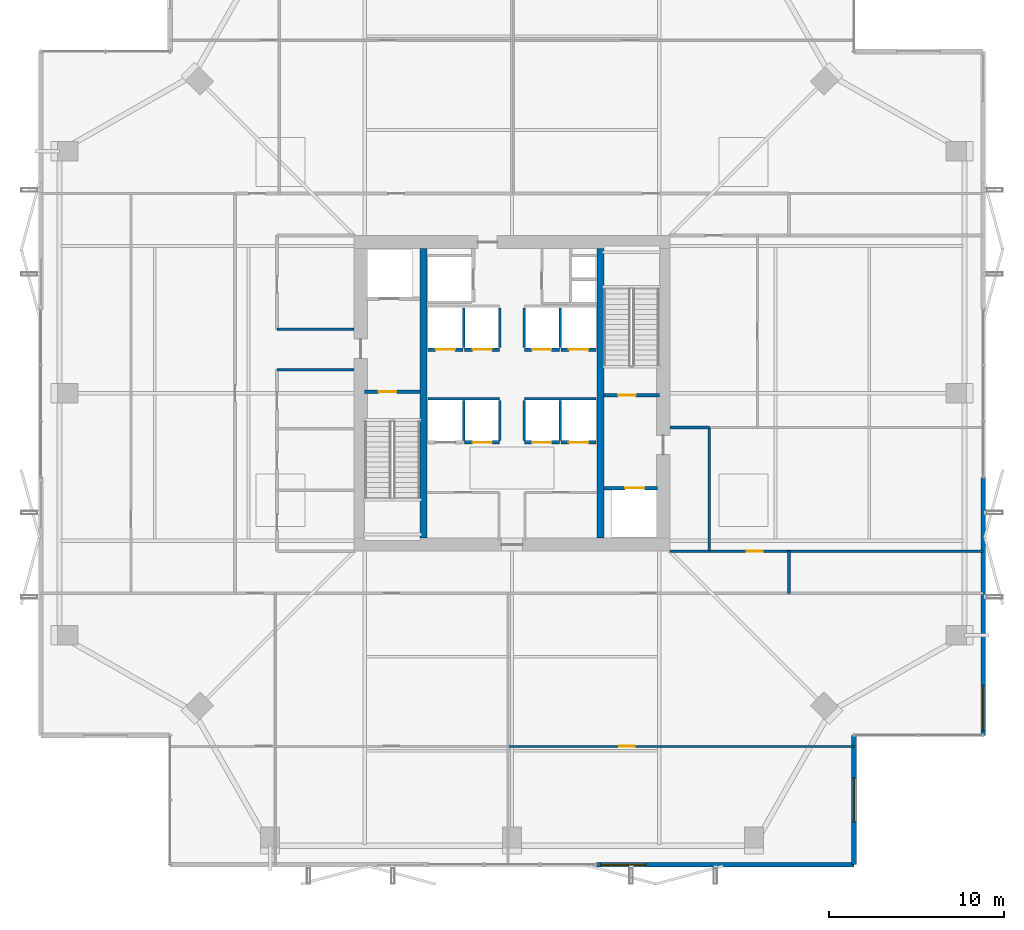
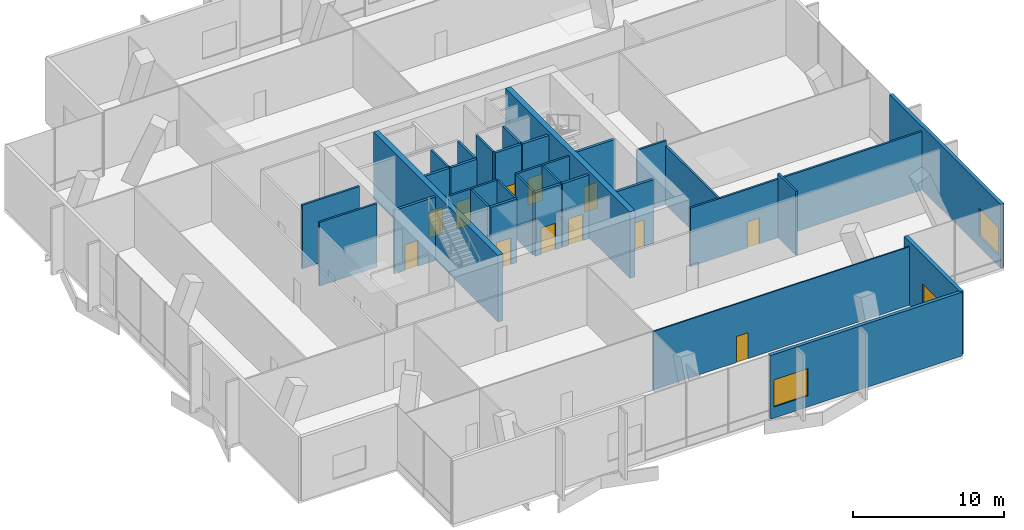
# One storey, part 30 of 33: 32 walls, 12 doors, 3 windows, 15 openings.
"""IFC4 building model written with IfcOpenShell, lengths in metres."""

from ifc_helpers import new_model, si_unit, direction, frame, frame_2d, origin, place, context, subcontext, project, spatial, rectangle, extrude, material, layer, layer_set, type_object, element, fill, save


model = new_model("IFC4")

# Units and contexts
model_context = context("Model", 3, precision=1e-05, world=origin(), true_north=direction((0.0, 1.0)))
body_context = subcontext(model_context, "Body", "Model", "MODEL_VIEW")
ifc_project = project(units=[si_unit("LENGTHUNIT", "METRE"), si_unit("AREAUNIT", "SQUARE_METRE"), si_unit("VOLUMEUNIT", "CUBIC_METRE"), si_unit("PLANEANGLEUNIT", "RADIAN"), si_unit("MASSUNIT", "GRAM", prefix="KILO")], contexts=[model_context])

# Site, building, storey
site_placement = place(None, origin())
site = spatial("IfcSite", under=ifc_project, at=site_placement, CompositionType="ELEMENT")
building_placement = place(site_placement, origin())
building = spatial("IfcBuilding", under=site, at=building_placement, Name="Belovzor Exchange Tower", CompositionType="ELEMENT")
storey_placement = place(building_placement, frame((0.0, 0.0, 241.199951171875)))
storey = spatial("IfcBuildingStorey", under=building, at=storey_placement, Name="L60", CompositionType="ELEMENT", Elevation=241.199951171875)

# Wall, opening, door
ifc_material_1 = material(Name="Acoustic Laminated Glass and Aluminium", Category="aluminium")
ifc_layer_1 = layer(ifc_material_1, 0.10009765625)
ifc_layer_set_1 = layer_set([ifc_layer_1], Name="Acoustic Laminated Glass and Aluminium")
wall_type_1 = type_object("IfcWallType", Name="Demountable Executive Glass Partition 100", PredefinedType="MOVABLE", material=ifc_layer_set_1)
wall_1_placement = place(storey_placement, frame((28.56591796875, 8.6650390625, 0.0), z_axis=(0.0, 0.0, 1.0), x_axis=(1.0, 0.0, 0.0)))
wall_1 = element("IfcWall", 1, at=wall_1_placement, inside=storey, type_object=wall_type_1, Name="W-M100 Partition Wall W-L60-SHDIV-2", PredefinedType="MOVABLE", context=body_context, shape_type="SweptSolid", body=[
    extrude(rectangle(XDim=19.734130859375, YDim=0.10009765625, at=frame_2d((9.8671875, 0.0))), origin(), (0.0, 0.0, 1.0), 4.735107421875),
])
opening_1_placement = place(wall_1_placement, frame((6.344970703125, 0.0, 0.0)))
opening_1 = element("IfcOpeningElement", 2, at=opening_1_placement, cuts=wall_1, Name="Opening D-INT-090", PredefinedType="OPENING", context=body_context, shape_type="SweptSolid", body=[
    extrude(rectangle(XDim=0.89990234375, YDim=2.10009765625, at=frame_2d((0.449951171875, 1.050048828125))), frame((0.0, 0.06005859375, 0.0), z_axis=(0.0, -1.0, 0.0), x_axis=(1.0, 0.0, 0.0)), (0.0, 0.0, 1.0), 0.1201171875),
])
ifc_material_2 = material(Name="Veneered Hardwood Acoustic Leaf", Category="wood")
door_type_1 = type_object("IfcDoorType", Name="Trading Suite Acoustic Single Door 900x2100", OperationType="NOTDEFINED", PredefinedType="DOOR", material=ifc_material_2)
door_1_placement = place(opening_1_placement, origin())
door_1 = element("IfcDoor", 3, at=door_1_placement, inside=storey, type_object=door_type_1, Name="D-INT-090 Trading Suite Acoustic Single Door 900x2100", OperationType="SINGLE_SWING_LEFT", OverallHeight=2.10009765625, OverallWidth=0.89990234375, PredefinedType="DOOR", context=body_context, shape_type="SweptSolid", body=[
    extrude(rectangle(XDim=0.89990234375, YDim=2.10009765625, at=frame_2d((0.449951171875, 1.050048828125))), frame((0.0, 0.02490234375, 0.0), z_axis=(0.0, -1.0, 0.0), x_axis=(1.0, 0.0, 0.0)), (0.0, 0.0, 1.0), 0.050048828125),
])
fill(opening_1, door_1)

# Walls
ifc_material_3 = material(Name="Fire-Rated Gypsum Block and Mineral Wool", Category="gypsum")
ifc_layer_2 = layer(ifc_material_3, 0.14990234375)
ifc_layer_set_2 = layer_set([ifc_layer_2], Name="Fire-Rated Gypsum Block and Mineral Wool")
wall_type_2 = type_object("IfcWallType", Name="Fire-Rated Gypsum Block Corridor Wall 150", PredefinedType="PARTITIONING", material=ifc_layer_set_2)
for number, where, z_axis, x_axis, name in (
    (4, (15.39990234375, 30.14990234375, 0.0), (0.0, 0.0, 1.0), (1.0, 0.0, 0.0), "W-P150 Partition Wall W-L60-WIC-N"),
    (5, (15.39990234375, 32.449951171875, 0.0), (0.0, 0.0, 1.0), (1.0, 0.0, 0.0), "W-P150 Partition Wall W-L60-CFW-N"),
):
    element("IfcWall", number, at=place(storey_placement, frame(where, z_axis=z_axis, x_axis=x_axis)), inside=storey, type_object=wall_type_2, Name=name, PredefinedType="PARTITIONING", context=body_context, shape_type="SweptSolid", body=[
        extrude(rectangle(XDim=4.400146484375, YDim=0.14990234375, at=frame_2d((2.2001953125, 0.0))), origin(), (0.0, 0.0, 1.0), 5.150146484375),
    ])
wall_2_placement = place(storey_placement, frame((37.800048828125, 26.85009765625, 0.0), z_axis=(0.0, 0.0, 1.0), x_axis=(1.0, 0.0, 0.0)))
element("IfcWall", 6, at=wall_2_placement, inside=storey, type_object=wall_type_2, Name="W-P150 Partition Wall W-L60-CFE-N", PredefinedType="PARTITIONING", context=body_context, shape_type="SweptSolid", body=[
    extrude(rectangle(XDim=2.25, YDim=0.14990234375, at=frame_2d((1.125, 0.0))), origin(), (0.0, 0.0, 1.0), 5.150146484375),
])
wall_3_placement = place(storey_placement, frame((40.050048828125, 19.800048828125, 0.0), z_axis=(0.0, 0.0, 1.0), x_axis=(0.0, 1.0, 0.0)))
element("IfcWall", 7, at=wall_3_placement, inside=storey, type_object=wall_type_2, Name="W-P150 Partition Wall W-L60-CFE-E", PredefinedType="PARTITIONING", context=body_context, shape_type="SweptSolid", body=[
    extrude(rectangle(XDim=7.050048828125, YDim=0.14990234375, at=frame_2d((3.52490234375, 0.0))), origin(), (0.0, 0.0, 1.0), 4.735107421875),
])
wall_4_placement = place(storey_placement, frame((44.60009765625, 17.39990234375, 0.0), z_axis=(0.0, 0.0, 1.0), x_axis=(0.0, 1.0, 0.0)))
element("IfcWall", 8, at=wall_4_placement, inside=storey, type_object=wall_type_2, Name="W-P150 Partition Wall W-L60-END-ES", PredefinedType="PARTITIONING", context=body_context, shape_type="SweptSolid", body=[
    extrude(rectangle(XDim=2.400146484375, YDim=0.14990234375, at=frame_2d((1.2001953125, 0.0))), origin(), (0.0, 0.0, 1.0), 5.150146484375),
])

# Wall, opening, door
wall_5_placement = place(storey_placement, frame((37.800048828125, 19.800048828125, 0.0), z_axis=(0.0, 0.0, 1.0), x_axis=(1.0, 0.0, 0.0)))
wall_5 = element("IfcWall", 9, at=wall_5_placement, inside=storey, type_object=wall_type_2, Name="W-P150 Partition Wall W-L60-CS-IN", PredefinedType="PARTITIONING", context=body_context, shape_type="SweptSolid", body=[
    extrude(rectangle(XDim=17.869873046875, YDim=0.14990234375, at=frame_2d((8.93505859375, 0.0))), origin(), (0.0, 0.0, 1.0), 4.735107421875),
])
opening_2_placement = place(wall_5_placement, frame((4.39990234375, 0.0, 0.0)))
opening_2 = element("IfcOpeningElement", 10, at=opening_2_placement, cuts=wall_5, Name="Opening D-INT-090", PredefinedType="OPENING", context=body_context, shape_type="SweptSolid", body=[
    extrude(rectangle(XDim=0.89990234375, YDim=2.10009765625, at=frame_2d((0.449951171875, 1.050048828125))), frame((0.0, 0.0849609375, 0.0), z_axis=(0.0, -1.0, 0.0), x_axis=(1.0, 0.0, 0.0)), (0.0, 0.0, 1.0), 0.169921875),
])
door_2_placement = place(opening_2_placement, origin())
door_2 = element("IfcDoor", 11, at=door_2_placement, inside=storey, type_object=door_type_1, Name="D-INT-090 Trading Suite Acoustic Single Door 900x2100", OperationType="SINGLE_SWING_LEFT", OverallHeight=2.10009765625, OverallWidth=0.89990234375, PredefinedType="DOOR", context=body_context, shape_type="SweptSolid", body=[
    extrude(rectangle(XDim=0.89990234375, YDim=2.10009765625, at=frame_2d((0.449951171875, 1.050048828125))), frame((0.0, 0.02490234375, 0.0), z_axis=(0.0, -1.0, 0.0), x_axis=(1.0, 0.0, 0.0)), (0.0, 0.0, 1.0), 0.050048828125),
])
fill(opening_2, door_2)

# Wall, opening, window
ifc_material_4 = material(Name="Precast concrete C40/50", Category="concrete")
ifc_layer_3 = layer(ifc_material_4, 0.280029296875)
ifc_layer_set_3 = layer_set([ifc_layer_3], Name="Precast concrete C40/50")
wall_type_3 = type_object("IfcWallType", Name="Precast Concrete Notched Corner Frame Wall 280", PredefinedType="SOLIDWALL", material=ifc_layer_set_3)
wall_6_placement = place(storey_placement, frame((48.300048828125, 9.300048828125, 0.0), z_axis=(0.0, 0.0, 1.0), x_axis=(0.0, -1.0, 0.0)))
wall_6 = element("IfcWall", 12, at=wall_6_placement, inside=storey, type_object=wall_type_3, Name="W-CRN280 Precast Concrete Notched Corner Frame Wall 280 L60", PredefinedType="SOLIDWALL", context=body_context, shape_type="SweptSolid", body=[
    extrude(rectangle(XDim=7.3701171875, YDim=0.280029296875, at=frame_2d((3.68505859375, 0.0))), origin(), (0.0, 0.0, 1.0), 5.150146484375),
])
opening_3_placement = place(wall_6_placement, frame((2.43505859375, 0.0, 0.89990234375)))
opening_3 = element("IfcOpeningElement", 13, at=opening_3_placement, cuts=wall_6, Name="Opening WN-CRN250", PredefinedType="OPENING", context=body_context, shape_type="SweptSolid", body=[
    extrude(rectangle(XDim=2.5, YDim=1.89990234375, at=frame_2d((1.25, 0.949951171875))), frame((0.0, 0.14990234375, 0.0), z_axis=(0.0, -1.0, 0.0), x_axis=(1.0, 0.0, 0.0)), (0.0, 0.0, 1.0), 0.300048828125),
])
ifc_material_5 = material(Name="Thermally Broken Aluminium and Triple Glazing", Category="aluminium")
window_type_1 = type_object("IfcWindowType", Name="Streamline Moderne Corner Wrap Ribbon Window 2500x1900", PartitioningType="SINGLE_PANEL", PredefinedType="WINDOW", material=ifc_material_5)
window_1_placement = place(opening_3_placement, origin())
window_1 = element("IfcWindow", 14, at=window_1_placement, inside=storey, type_object=window_type_1, Name="WN-CRN250 Streamline Moderne Corner Wrap Ribbon Window 2500x1900", OverallHeight=1.89990234375, OverallWidth=2.5, PartitioningType="SINGLE_PANEL", PredefinedType="WINDOW", context=body_context, shape_type="SweptSolid", body=[
    extrude(rectangle(XDim=2.5, YDim=1.89990234375, at=frame_2d((1.25, 0.949951171875))), frame((0.0, 0.030029296875, 0.0), z_axis=(0.0, -1.0, 0.0), x_axis=(1.0, 0.0, 0.0)), (0.0, 0.0, 1.0), 0.06005859375),
])
fill(opening_3, window_1)

ifc_material_6 = material(Name="Precast concrete C40/50", Category="concrete")
ifc_layer_4 = layer(ifc_material_6, 0.260009765625)
ifc_layer_set_4 = layer_set([ifc_layer_4], Name="Precast concrete C40/50")
wall_type_4 = type_object("IfcWallType", Name="Precast Concrete Perimeter Loggia Frame Wall 260", PredefinedType="SOLIDWALL", material=ifc_layer_set_4)
wall_7_placement = place(storey_placement, frame((48.300048828125, 1.929931640625, 0.0), z_axis=(0.0, 0.0, 1.0), x_axis=(-1.0, 0.0, 0.0)))
wall_7 = element("IfcWall", 15, at=wall_7_placement, inside=storey, type_object=wall_type_4, Name="W-EXT260 Precast Concrete Perimeter Loggia Frame Wall 260 L60", PredefinedType="SOLIDWALL", context=body_context, shape_type="SweptSolid", body=[
    extrude(rectangle(XDim=14.699951171875, YDim=0.260009765625, at=frame_2d((7.35009765625, 0.0))), origin(), (0.0, 0.0, 1.0), 5.150146484375),
])
opening_4_placement = place(wall_7_placement, frame((11.85009765625, 0.0, 0.89990234375)))
opening_4 = element("IfcOpeningElement", 16, at=opening_4_placement, cuts=wall_7, Name="Opening WN-LOG260", PredefinedType="OPENING", context=body_context, shape_type="SweptSolid", body=[
    extrude(rectangle(XDim=2.60009765625, YDim=2.199951171875, at=frame_2d((1.300048828125, 1.10009765625))), frame((0.0, 0.139892578125, 0.0), z_axis=(0.0, -1.0, 0.0), x_axis=(1.0, 0.0, 0.0)), (0.0, 0.0, 1.0), 0.280029296875),
])
ifc_material_7 = material(Name="Thermally Broken Aluminium and Triple Glazing", Category="aluminium")
window_type_2 = type_object("IfcWindowType", Name="Sky-Lobby Panoramic Window 2600x2200", PartitioningType="SINGLE_PANEL", PredefinedType="WINDOW", material=ifc_material_7)
window_2_placement = place(opening_4_placement, origin())
window_2 = element("IfcWindow", 17, at=window_2_placement, inside=storey, type_object=window_type_2, Name="WN-LOG260 Sky-Lobby Panoramic Window 2600x2200", OverallHeight=2.199951171875, OverallWidth=2.60009765625, PartitioningType="SINGLE_PANEL", PredefinedType="WINDOW", context=body_context, shape_type="SweptSolid", body=[
    extrude(rectangle(XDim=2.60009765625, YDim=2.199951171875, at=frame_2d((1.300048828125, 1.10009765625))), frame((0.0, 0.030029296875, 0.0), z_axis=(0.0, -1.0, 0.0), x_axis=(1.0, 0.0, 0.0)), (0.0, 0.0, 1.0), 0.06005859375),
])
fill(opening_4, window_2)

wall_8_placement = place(storey_placement, frame((55.669921875, 24.0, 0.0), z_axis=(0.0, 0.0, 1.0), x_axis=(0.0, -1.0, 0.0)))
wall_8 = element("IfcWall", 18, at=wall_8_placement, inside=storey, type_object=wall_type_4, Name="W-EXT260 Precast Concrete Perimeter Loggia Frame Wall 260 L60", PredefinedType="SOLIDWALL", context=body_context, shape_type="SweptSolid", body=[
    extrude(rectangle(XDim=14.699951171875, YDim=0.260009765625, at=frame_2d((7.35009765625, 0.0))), origin(), (0.0, 0.0, 1.0), 5.150146484375),
])
opening_5_placement = place(wall_8_placement, frame((11.85009765625, 0.0, 0.89990234375)))
opening_5 = element("IfcOpeningElement", 19, at=opening_5_placement, cuts=wall_8, Name="Opening WN-LOG260", PredefinedType="OPENING", context=body_context, shape_type="SweptSolid", body=[
    extrude(rectangle(XDim=2.60009765625, YDim=2.199951171875, at=frame_2d((1.300048828125, 1.10009765625))), frame((0.0, 0.139892578125, 0.0), z_axis=(0.0, -1.0, 0.0), x_axis=(1.0, 0.0, 0.0)), (0.0, 0.0, 1.0), 0.280029296875),
])
window_3_placement = place(opening_5_placement, origin())
window_3 = element("IfcWindow", 20, at=window_3_placement, inside=storey, type_object=window_type_2, Name="WN-LOG260 Sky-Lobby Panoramic Window 2600x2200", OverallHeight=2.199951171875, OverallWidth=2.60009765625, PartitioningType="SINGLE_PANEL", PredefinedType="WINDOW", context=body_context, shape_type="SweptSolid", body=[
    extrude(rectangle(XDim=2.60009765625, YDim=2.199951171875, at=frame_2d((1.300048828125, 1.10009765625))), frame((0.0, 0.030029296875, 0.0), z_axis=(0.0, -1.0, 0.0), x_axis=(1.0, 0.0, 0.0)), (0.0, 0.0, 1.0), 0.06005859375),
])
fill(opening_5, window_3)

# Walls
ifc_material_8 = material(Name="Concrete C50/60", Category="concrete")
ifc_layer_5 = layer(ifc_material_8, 0.39990234375)
ifc_layer_set_5 = layer_set([ifc_layer_5], Name="Concrete C50/60")
wall_type_5 = type_object("IfcWallType", Name="Reinforced Concrete Core Internal Web Wall 400", PredefinedType="SHEAR", material=ifc_layer_set_5)
for number, where, z_axis, x_axis, name in (
    (21, (23.75, 20.550048828125, 0.0), (0.0, 0.0, 1.0), (0.0, 1.0, 0.0), "CW-W040 Core Internal Web Wall L60 WL"),
    (22, (33.85009765625, 20.550048828125, 0.0), (0.0, 0.0, 1.0), (0.0, 1.0, 0.0), "CW-W040 Core Internal Web Wall L60 ER"),
):
    element("IfcWall", number, at=place(storey_placement, frame(where, z_axis=z_axis, x_axis=x_axis)), inside=storey, type_object=wall_type_5, Name=name, PredefinedType="SHEAR", context=body_context, shape_type="SweptSolid", body=[
        extrude(rectangle(XDim=16.5, YDim=0.39990234375, at=frame_2d((8.25, 0.0))), origin(), (0.0, 0.0, 1.0), 5.400146484375),
    ])
ifc_material_9 = material(Name="Concrete C50/60", Category="concrete")
ifc_layer_6 = layer(ifc_material_9, 0.14990234375)
ifc_layer_set_6 = layer_set([ifc_layer_6], Name="Concrete C50/60")
wall_type_6 = type_object("IfcWallType", Name="Reinforced Concrete Core Riser Shear Wall 150", PredefinedType="SHEAR", material=ifc_layer_set_6)
for number, where, z_axis, x_axis, name in (
    (23, (24.02001953125, 28.5, 0.0), (0.0, 0.0, 1.0), (1.0, 0.0, 0.0), "W-C150S Core Shaft Wall W-SHB-L60-PLM-NW"),
    (24, (29.5, 28.5, 0.0), (0.0, 0.0, 1.0), (1.0, 0.0, 0.0), "W-C150S Core Shaft Wall W-SHB-L60-PLM-NE"),
):
    element("IfcWall", number, at=place(storey_placement, frame(where, z_axis=z_axis, x_axis=x_axis)), inside=storey, type_object=wall_type_6, Name=name, PredefinedType="SHEAR", context=body_context, shape_type="SweptSolid", body=[
        extrude(rectangle(XDim=4.080078125, YDim=0.14990234375, at=frame_2d((2.0400390625, 0.0))), origin(), (0.0, 0.0, 1.0), 5.150146484375),
    ])
for number, where, z_axis, x_axis, name in (
    (25, (26.050048828125, 26.1201171875, 0.0), (0.0, 0.0, 1.0), (0.0, 1.0, 0.0), "W-C150S Core Shaft Wall W-SHD-L60-PLM-1"),
    (26, (28.10009765625, 26.1201171875, 0.0), (0.0, 0.0, 1.0), (0.0, 1.0, 0.0), "W-C150S Core Shaft Wall W-SHD-L60-PLM-2"),
    (27, (29.5, 26.1201171875, 0.0), (0.0, 0.0, 1.0), (0.0, 1.0, 0.0), "W-C150S Core Shaft Wall W-SHD-L60-PLM-3"),
    (28, (31.550048828125, 26.1201171875, 0.0), (0.0, 0.0, 1.0), (0.0, 1.0, 0.0), "W-C150S Core Shaft Wall W-SHD-L60-PLM-4"),
):
    element("IfcWall", number, at=place(storey_placement, frame(where, z_axis=z_axis, x_axis=x_axis)), inside=storey, type_object=wall_type_6, Name=name, PredefinedType="SHEAR", context=body_context, shape_type="SweptSolid", body=[
        extrude(rectangle(XDim=2.27978515625, YDim=0.14990234375, at=frame_2d((1.139892578125, 0.0))), origin(), (0.0, 0.0, 1.0), 5.150146484375),
    ])
for number, where, z_axis, x_axis, name in (
    (29, (26.050048828125, 31.419921875, 0.0), (0.0, 0.0, 1.0), (0.0, 1.0, 0.0), "W-C150S Core Shaft Wall W-SHD-L60-PLH-1"),
    (30, (28.10009765625, 31.419921875, 0.0), (0.0, 0.0, 1.0), (0.0, 1.0, 0.0), "W-C150S Core Shaft Wall W-SHD-L60-PLH-2"),
    (31, (29.5, 31.419921875, 0.0), (0.0, 0.0, 1.0), (0.0, 1.0, 0.0), "W-C150S Core Shaft Wall W-SHD-L60-PLH-3"),
    (32, (31.550048828125, 31.419921875, 0.0), (0.0, 0.0, 1.0), (0.0, 1.0, 0.0), "W-C150S Core Shaft Wall W-SHD-L60-PLH-4"),
):
    element("IfcWall", number, at=place(storey_placement, frame(where, z_axis=z_axis, x_axis=x_axis)), inside=storey, type_object=wall_type_6, Name=name, PredefinedType="SHEAR", context=body_context, shape_type="SweptSolid", body=[
        extrude(rectangle(XDim=2.239990234375, YDim=0.14990234375, at=frame_2d((1.1201171875, 0.0))), origin(), (0.0, 0.0, 1.0), 5.150146484375),
    ])

# Wall, opening, door
ifc_material_10 = material(Name="Concrete C50/60", Category="concrete")
ifc_layer_7 = layer(ifc_material_10, 0.199951171875)
ifc_layer_set_7 = layer_set([ifc_layer_7], Name="Concrete C50/60")
wall_type_7 = type_object("IfcWallType", Name="Reinforced Concrete Core Shaft Shear Wall 200", PredefinedType="SHEAR", material=ifc_layer_set_7)
wall_9_placement = place(storey_placement, frame((20.39990234375, 28.89990234375, 0.0), z_axis=(0.0, 0.0, 1.0), x_axis=(1.0, 0.0, 0.0)))
wall_9 = element("IfcWall", 33, at=wall_9_placement, inside=storey, type_object=wall_type_7, Name="W-C200S Core Shaft Wall W-CORE-L60-FFLW1", PredefinedType="SHEAR", context=body_context, shape_type="SweptSolid", body=[
    extrude(rectangle(XDim=3.150146484375, YDim=0.199951171875, at=frame_2d((1.5751953125, 0.0))), origin(), (0.0, 0.0, 1.0), 5.150146484375),
])
opening_6_placement = place(wall_9_placement, frame((0.800048828125, 0.0, 0.0)))
opening_6 = element("IfcOpeningElement", 34, at=opening_6_placement, cuts=wall_9, Name="Opening D-FD90-100", PredefinedType="OPENING", context=body_context, shape_type="SweptSolid", body=[
    extrude(rectangle(XDim=1.0, YDim=2.10009765625, at=frame_2d((0.5, 1.050048828125))), frame((0.0, 0.10986328125, 0.0), z_axis=(0.0, -1.0, 0.0), x_axis=(1.0, 0.0, 0.0)), (0.0, 0.0, 1.0), 0.219970703125),
])
ifc_material_11 = material(Name="Fire-Rated Galvanised Steel Leaf", Category="steel")
door_type_2 = type_object("IfcDoorType", Name="Protected Stairwell Single Fire Door 1000x2100", OperationType="NOTDEFINED", PredefinedType="DOOR", material=ifc_material_11)
door_3_placement = place(opening_6_placement, origin())
door_3 = element("IfcDoor", 35, at=door_3_placement, inside=storey, type_object=door_type_2, Name="D-FD90-100 Protected Stairwell Single Fire Door 1000x2100", OperationType="SINGLE_SWING_RIGHT", OverallHeight=2.10009765625, OverallWidth=1.0, PredefinedType="DOOR", context=body_context, shape_type="SweptSolid", body=[
    extrude(rectangle(XDim=1.0, YDim=2.10009765625, at=frame_2d((0.5, 1.050048828125))), frame((0.0, 0.02490234375, 0.0), z_axis=(0.0, -1.0, 0.0), x_axis=(1.0, 0.0, 0.0)), (0.0, 0.0, 1.0), 0.050048828125),
])
fill(opening_6, door_3)

wall_10_placement = place(storey_placement, frame((34.050048828125, 28.699951171875, 0.0), z_axis=(0.0, 0.0, 1.0), x_axis=(1.0, 0.0, 0.0)))
wall_10 = element("IfcWall", 36, at=wall_10_placement, inside=storey, type_object=wall_type_7, Name="W-C200S Core Shaft Wall W-CORE-L60-FFLE2", PredefinedType="SHEAR", context=body_context, shape_type="SweptSolid", body=[
    extrude(rectangle(XDim=3.14990234375, YDim=0.199951171875, at=frame_2d((1.574951171875, 0.0))), origin(), (0.0, 0.0, 1.0), 5.150146484375),
])
opening_7_placement = place(wall_10_placement, frame((0.800048828125, 0.0, 0.0)))
opening_7 = element("IfcOpeningElement", 37, at=opening_7_placement, cuts=wall_10, Name="Opening D-FD90-100", PredefinedType="OPENING", context=body_context, shape_type="SweptSolid", body=[
    extrude(rectangle(XDim=1.0, YDim=2.10009765625, at=frame_2d((0.5, 1.050048828125))), frame((0.0, 0.10986328125, 0.0), z_axis=(0.0, -1.0, 0.0), x_axis=(1.0, 0.0, 0.0)), (0.0, 0.0, 1.0), 0.219970703125),
])
door_4_placement = place(opening_7_placement, origin())
door_4 = element("IfcDoor", 38, at=door_4_placement, inside=storey, type_object=door_type_2, Name="D-FD90-100 Protected Stairwell Single Fire Door 1000x2100", OperationType="SINGLE_SWING_LEFT", OverallHeight=2.10009765625, OverallWidth=1.0, PredefinedType="DOOR", context=body_context, shape_type="SweptSolid", body=[
    extrude(rectangle(XDim=1.0, YDim=2.10009765625, at=frame_2d((0.5, 1.050048828125))), frame((0.0, 0.02490234375, 0.0), z_axis=(0.0, -1.0, 0.0), x_axis=(1.0, 0.0, 0.0)), (0.0, 0.0, 1.0), 0.050048828125),
])
fill(opening_7, door_4)

wall_11_placement = place(storey_placement, frame((34.050048828125, 23.39990234375, 0.0), z_axis=(0.0, 0.0, 1.0), x_axis=(1.0, 0.0, 0.0)))
wall_11 = element("IfcWall", 39, at=wall_11_placement, inside=storey, type_object=wall_type_7, Name="W-C200S Core Shaft Wall W-SH-L60-FFL-02", PredefinedType="SHEAR", context=body_context, shape_type="SweptSolid", body=[
    extrude(rectangle(XDim=3.050048828125, YDim=0.199951171875, at=frame_2d((1.52490234375, 0.0))), origin(), (0.0, 0.0, 1.0), 5.150146484375),
])
opening_8_placement = place(wall_11_placement, frame((1.199951171875, 0.0, 0.0)))
opening_8 = element("IfcOpeningElement", 40, at=opening_8_placement, cuts=wall_11, Name="Opening LD-110", PredefinedType="OPENING", context=body_context, shape_type="SweptSolid", body=[
    extrude(rectangle(XDim=1.10009765625, YDim=2.14990234375, at=frame_2d((0.550048828125, 1.074951171875))), frame((0.0, 0.10986328125, 0.0), z_axis=(0.0, -1.0, 0.0), x_axis=(1.0, 0.0, 0.0)), (0.0, 0.0, 1.0), 0.219970703125),
])
ifc_material_12 = material(Name="Stainless Steel Grade 304", Category="steel")
door_type_3 = type_object("IfcDoorType", Name="Automated Stainless Steel Lift Landing Door 1100x2150", OperationType="SLIDING_TO_RIGHT", PredefinedType="DOOR", material=ifc_material_12)
door_5_placement = place(opening_8_placement, origin())
door_5 = element("IfcDoor", 41, at=door_5_placement, inside=storey, type_object=door_type_3, Name="LD-110 Automated Stainless Steel Lift Landing Door 1100x2150", OperationType="SLIDING_TO_RIGHT", OverallHeight=2.14990234375, OverallWidth=1.10009765625, PredefinedType="DOOR", context=body_context, shape_type="SweptSolid", body=[
    extrude(rectangle(XDim=1.10009765625, YDim=2.14990234375, at=frame_2d((0.550048828125, 1.074951171875))), frame((0.0, 0.02490234375, 0.0), z_axis=(0.0, -1.0, 0.0), x_axis=(1.0, 0.0, 0.0)), (0.0, 0.0, 1.0), 0.050048828125),
])
fill(opening_8, door_5)

wall_12_placement = place(storey_placement, frame((26.10009765625, 26.0, 0.0), z_axis=(0.0, 0.0, 1.0), x_axis=(1.0, 0.0, 0.0)))
wall_12 = element("IfcWall", 42, at=wall_12_placement, inside=storey, type_object=wall_type_7, Name="W-C200S Core Shaft Wall W-SH-L60-PL-M2", PredefinedType="SHEAR", context=body_context, shape_type="SweptSolid", body=[
    extrude(rectangle(XDim=2.0, YDim=0.199951171875, at=frame_2d((1.0, 0.0))), origin(), (0.0, 0.0, 1.0), 5.150146484375),
])
opening_9_placement = place(wall_12_placement, frame((0.449951171875, 0.0, 0.0)))
opening_9 = element("IfcOpeningElement", 43, at=opening_9_placement, cuts=wall_12, Name="Opening LD-110", PredefinedType="OPENING", context=body_context, shape_type="SweptSolid", body=[
    extrude(rectangle(XDim=1.10009765625, YDim=2.14990234375, at=frame_2d((0.550048828125, 1.074951171875))), frame((0.0, 0.10986328125, 0.0), z_axis=(0.0, -1.0, 0.0), x_axis=(1.0, 0.0, 0.0)), (0.0, 0.0, 1.0), 0.219970703125),
])
door_6_placement = place(opening_9_placement, origin())
door_6 = element("IfcDoor", 44, at=door_6_placement, inside=storey, type_object=door_type_3, Name="LD-110 Automated Stainless Steel Lift Landing Door 1100x2150", OperationType="SLIDING_TO_RIGHT", OverallHeight=2.14990234375, OverallWidth=1.10009765625, PredefinedType="DOOR", context=body_context, shape_type="SweptSolid", body=[
    extrude(rectangle(XDim=1.10009765625, YDim=2.14990234375, at=frame_2d((0.550048828125, 1.074951171875))), frame((0.0, 0.02490234375, 0.0), z_axis=(0.0, -1.0, 0.0), x_axis=(1.0, 0.0, 0.0)), (0.0, 0.0, 1.0), 0.050048828125),
])
fill(opening_9, door_6)

wall_13_placement = place(storey_placement, frame((29.5, 26.0, 0.0), z_axis=(0.0, 0.0, 1.0), x_axis=(1.0, 0.0, 0.0)))
wall_13 = element("IfcWall", 45, at=wall_13_placement, inside=storey, type_object=wall_type_7, Name="W-C200S Core Shaft Wall W-SH-L60-PL-M3", PredefinedType="SHEAR", context=body_context, shape_type="SweptSolid", body=[
    extrude(rectangle(XDim=2.0, YDim=0.199951171875, at=frame_2d((1.0, 0.0))), origin(), (0.0, 0.0, 1.0), 5.150146484375),
])
opening_10_placement = place(wall_13_placement, frame((0.449951171875, 0.0, 0.0)))
opening_10 = element("IfcOpeningElement", 46, at=opening_10_placement, cuts=wall_13, Name="Opening LD-110", PredefinedType="OPENING", context=body_context, shape_type="SweptSolid", body=[
    extrude(rectangle(XDim=1.10009765625, YDim=2.14990234375, at=frame_2d((0.550048828125, 1.074951171875))), frame((0.0, 0.10986328125, 0.0), z_axis=(0.0, -1.0, 0.0), x_axis=(1.0, 0.0, 0.0)), (0.0, 0.0, 1.0), 0.219970703125),
])
door_7_placement = place(opening_10_placement, origin())
door_7 = element("IfcDoor", 47, at=door_7_placement, inside=storey, type_object=door_type_3, Name="LD-110 Automated Stainless Steel Lift Landing Door 1100x2150", OperationType="SLIDING_TO_RIGHT", OverallHeight=2.14990234375, OverallWidth=1.10009765625, PredefinedType="DOOR", context=body_context, shape_type="SweptSolid", body=[
    extrude(rectangle(XDim=1.10009765625, YDim=2.14990234375, at=frame_2d((0.550048828125, 1.074951171875))), frame((0.0, 0.02490234375, 0.0), z_axis=(0.0, -1.0, 0.0), x_axis=(1.0, 0.0, 0.0)), (0.0, 0.0, 1.0), 0.050048828125),
])
fill(opening_10, door_7)

wall_14_placement = place(storey_placement, frame((31.60009765625, 26.0, 0.0), z_axis=(0.0, 0.0, 1.0), x_axis=(1.0, 0.0, 0.0)))
wall_14 = element("IfcWall", 48, at=wall_14_placement, inside=storey, type_object=wall_type_7, Name="W-C200S Core Shaft Wall W-SH-L60-PL-M4", PredefinedType="SHEAR", context=body_context, shape_type="SweptSolid", body=[
    extrude(rectangle(XDim=2.0, YDim=0.199951171875, at=frame_2d((1.0, 0.0))), origin(), (0.0, 0.0, 1.0), 5.150146484375),
])
opening_11_placement = place(wall_14_placement, frame((0.449951171875, 0.0, 0.0)))
opening_11 = element("IfcOpeningElement", 49, at=opening_11_placement, cuts=wall_14, Name="Opening LD-110", PredefinedType="OPENING", context=body_context, shape_type="SweptSolid", body=[
    extrude(rectangle(XDim=1.10009765625, YDim=2.14990234375, at=frame_2d((0.550048828125, 1.074951171875))), frame((0.0, 0.10986328125, 0.0), z_axis=(0.0, -1.0, 0.0), x_axis=(1.0, 0.0, 0.0)), (0.0, 0.0, 1.0), 0.219970703125),
])
door_8_placement = place(opening_11_placement, origin())
door_8 = element("IfcDoor", 50, at=door_8_placement, inside=storey, type_object=door_type_3, Name="LD-110 Automated Stainless Steel Lift Landing Door 1100x2150", OperationType="SLIDING_TO_RIGHT", OverallHeight=2.14990234375, OverallWidth=1.10009765625, PredefinedType="DOOR", context=body_context, shape_type="SweptSolid", body=[
    extrude(rectangle(XDim=1.10009765625, YDim=2.14990234375, at=frame_2d((0.550048828125, 1.074951171875))), frame((0.0, 0.02490234375, 0.0), z_axis=(0.0, -1.0, 0.0), x_axis=(1.0, 0.0, 0.0)), (0.0, 0.0, 1.0), 0.050048828125),
])
fill(opening_11, door_8)

wall_15_placement = place(storey_placement, frame((24.0, 31.300048828125, 0.0), z_axis=(0.0, 0.0, 1.0), x_axis=(1.0, 0.0, 0.0)))
wall_15 = element("IfcWall", 51, at=wall_15_placement, inside=storey, type_object=wall_type_7, Name="W-C200S Core Shaft Wall W-SH-L60-PL-H1", PredefinedType="SHEAR", context=body_context, shape_type="SweptSolid", body=[
    extrude(rectangle(XDim=2.0, YDim=0.199951171875, at=frame_2d((1.0, 0.0))), origin(), (0.0, 0.0, 1.0), 5.150146484375),
])
opening_12_placement = place(wall_15_placement, frame((0.449951171875, 0.0, 0.0)))
opening_12 = element("IfcOpeningElement", 52, at=opening_12_placement, cuts=wall_15, Name="Opening LD-110", PredefinedType="OPENING", context=body_context, shape_type="SweptSolid", body=[
    extrude(rectangle(XDim=1.10009765625, YDim=2.14990234375, at=frame_2d((0.550048828125, 1.074951171875))), frame((0.0, 0.10986328125, 0.0), z_axis=(0.0, -1.0, 0.0), x_axis=(1.0, 0.0, 0.0)), (0.0, 0.0, 1.0), 0.219970703125),
])
door_9_placement = place(opening_12_placement, origin())
door_9 = element("IfcDoor", 53, at=door_9_placement, inside=storey, type_object=door_type_3, Name="LD-110 Automated Stainless Steel Lift Landing Door 1100x2150", OperationType="SLIDING_TO_RIGHT", OverallHeight=2.14990234375, OverallWidth=1.10009765625, PredefinedType="DOOR", context=body_context, shape_type="SweptSolid", body=[
    extrude(rectangle(XDim=1.10009765625, YDim=2.14990234375, at=frame_2d((0.550048828125, 1.074951171875))), frame((0.0, 0.02490234375, 0.0), z_axis=(0.0, -1.0, 0.0), x_axis=(1.0, 0.0, 0.0)), (0.0, 0.0, 1.0), 0.050048828125),
])
fill(opening_12, door_9)

wall_16_placement = place(storey_placement, frame((26.10009765625, 31.300048828125, 0.0), z_axis=(0.0, 0.0, 1.0), x_axis=(1.0, 0.0, 0.0)))
wall_16 = element("IfcWall", 54, at=wall_16_placement, inside=storey, type_object=wall_type_7, Name="W-C200S Core Shaft Wall W-SH-L60-PL-H2", PredefinedType="SHEAR", context=body_context, shape_type="SweptSolid", body=[
    extrude(rectangle(XDim=2.0, YDim=0.199951171875, at=frame_2d((1.0, 0.0))), origin(), (0.0, 0.0, 1.0), 5.150146484375),
])
opening_13_placement = place(wall_16_placement, frame((0.449951171875, 0.0, 0.0)))
opening_13 = element("IfcOpeningElement", 55, at=opening_13_placement, cuts=wall_16, Name="Opening LD-110", PredefinedType="OPENING", context=body_context, shape_type="SweptSolid", body=[
    extrude(rectangle(XDim=1.10009765625, YDim=2.14990234375, at=frame_2d((0.550048828125, 1.074951171875))), frame((0.0, 0.10986328125, 0.0), z_axis=(0.0, -1.0, 0.0), x_axis=(1.0, 0.0, 0.0)), (0.0, 0.0, 1.0), 0.219970703125),
])
door_10_placement = place(opening_13_placement, origin())
door_10 = element("IfcDoor", 56, at=door_10_placement, inside=storey, type_object=door_type_3, Name="LD-110 Automated Stainless Steel Lift Landing Door 1100x2150", OperationType="SLIDING_TO_RIGHT", OverallHeight=2.14990234375, OverallWidth=1.10009765625, PredefinedType="DOOR", context=body_context, shape_type="SweptSolid", body=[
    extrude(rectangle(XDim=1.10009765625, YDim=2.14990234375, at=frame_2d((0.550048828125, 1.074951171875))), frame((0.0, 0.02490234375, 0.0), z_axis=(0.0, -1.0, 0.0), x_axis=(1.0, 0.0, 0.0)), (0.0, 0.0, 1.0), 0.050048828125),
])
fill(opening_13, door_10)

wall_17_placement = place(storey_placement, frame((29.5, 31.300048828125, 0.0), z_axis=(0.0, 0.0, 1.0), x_axis=(1.0, 0.0, 0.0)))
wall_17 = element("IfcWall", 57, at=wall_17_placement, inside=storey, type_object=wall_type_7, Name="W-C200S Core Shaft Wall W-SH-L60-PL-H3", PredefinedType="SHEAR", context=body_context, shape_type="SweptSolid", body=[
    extrude(rectangle(XDim=2.0, YDim=0.199951171875, at=frame_2d((1.0, 0.0))), origin(), (0.0, 0.0, 1.0), 5.150146484375),
])
opening_14_placement = place(wall_17_placement, frame((0.449951171875, 0.0, 0.0)))
opening_14 = element("IfcOpeningElement", 58, at=opening_14_placement, cuts=wall_17, Name="Opening LD-110", PredefinedType="OPENING", context=body_context, shape_type="SweptSolid", body=[
    extrude(rectangle(XDim=1.10009765625, YDim=2.14990234375, at=frame_2d((0.550048828125, 1.074951171875))), frame((0.0, 0.10986328125, 0.0), z_axis=(0.0, -1.0, 0.0), x_axis=(1.0, 0.0, 0.0)), (0.0, 0.0, 1.0), 0.219970703125),
])
door_11_placement = place(opening_14_placement, origin())
door_11 = element("IfcDoor", 59, at=door_11_placement, inside=storey, type_object=door_type_3, Name="LD-110 Automated Stainless Steel Lift Landing Door 1100x2150", OperationType="SLIDING_TO_RIGHT", OverallHeight=2.14990234375, OverallWidth=1.10009765625, PredefinedType="DOOR", context=body_context, shape_type="SweptSolid", body=[
    extrude(rectangle(XDim=1.10009765625, YDim=2.14990234375, at=frame_2d((0.550048828125, 1.074951171875))), frame((0.0, 0.02490234375, 0.0), z_axis=(0.0, -1.0, 0.0), x_axis=(1.0, 0.0, 0.0)), (0.0, 0.0, 1.0), 0.050048828125),
])
fill(opening_14, door_11)

wall_18_placement = place(storey_placement, frame((31.60009765625, 31.300048828125, 0.0), z_axis=(0.0, 0.0, 1.0), x_axis=(1.0, 0.0, 0.0)))
wall_18 = element("IfcWall", 60, at=wall_18_placement, inside=storey, type_object=wall_type_7, Name="W-C200S Core Shaft Wall W-SH-L60-PL-H4", PredefinedType="SHEAR", context=body_context, shape_type="SweptSolid", body=[
    extrude(rectangle(XDim=2.0, YDim=0.199951171875, at=frame_2d((1.0, 0.0))), origin(), (0.0, 0.0, 1.0), 5.150146484375),
])
opening_15_placement = place(wall_18_placement, frame((0.449951171875, 0.0, 0.0)))
opening_15 = element("IfcOpeningElement", 61, at=opening_15_placement, cuts=wall_18, Name="Opening LD-110", PredefinedType="OPENING", context=body_context, shape_type="SweptSolid", body=[
    extrude(rectangle(XDim=1.10009765625, YDim=2.14990234375, at=frame_2d((0.550048828125, 1.074951171875))), frame((0.0, 0.10986328125, 0.0), z_axis=(0.0, -1.0, 0.0), x_axis=(1.0, 0.0, 0.0)), (0.0, 0.0, 1.0), 0.219970703125),
])
door_12_placement = place(opening_15_placement, origin())
door_12 = element("IfcDoor", 62, at=door_12_placement, inside=storey, type_object=door_type_3, Name="LD-110 Automated Stainless Steel Lift Landing Door 1100x2150", OperationType="SLIDING_TO_RIGHT", OverallHeight=2.14990234375, OverallWidth=1.10009765625, PredefinedType="DOOR", context=body_context, shape_type="SweptSolid", body=[
    extrude(rectangle(XDim=1.10009765625, YDim=2.14990234375, at=frame_2d((0.550048828125, 1.074951171875))), frame((0.0, 0.02490234375, 0.0), z_axis=(0.0, -1.0, 0.0), x_axis=(1.0, 0.0, 0.0)), (0.0, 0.0, 1.0), 0.050048828125),
])
fill(opening_15, door_12)

save(model, "model.ifc")
